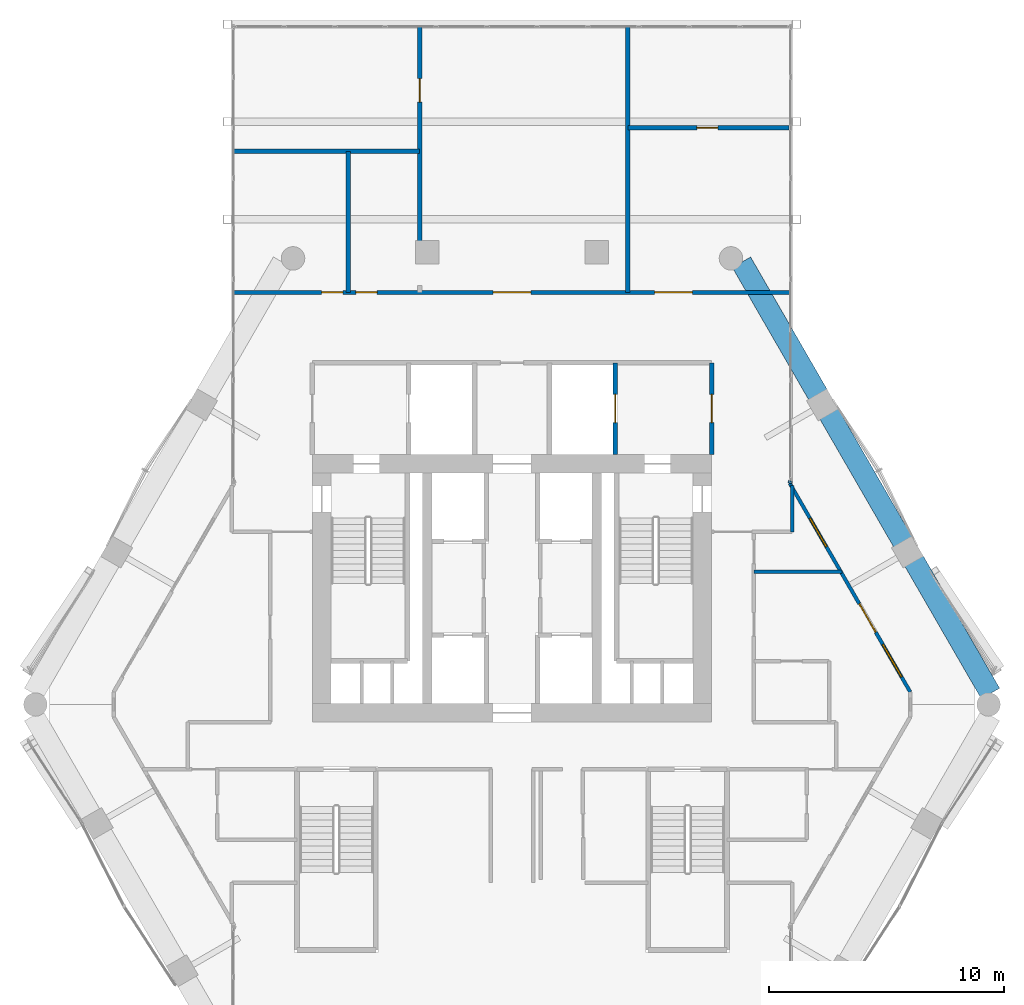
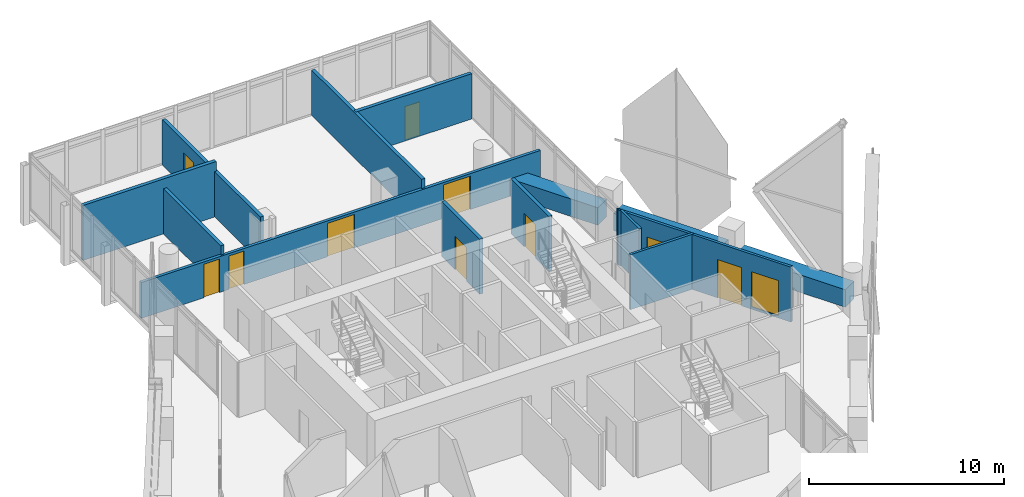
# One storey, part 32 of 37: 15 walls, 9 doors, 2 windows, 11 openings.
"""IFC4 building model written with IfcOpenShell, lengths in metres."""

import ifcopenshell
import ifcopenshell.guid

model = None  # the IFC model being written
_history = None  # IfcOwnerHistory: only IFC2X3 demands one
_inside = {}  # id of a spatial element -> (the spatial element, [elements in it])
_under = {}  # id of a project, library or spatial element -> (it, [spatial elements below it])
_declared = {}  # id of a project -> (the project, [libraries it declares])
_typed = {}  # id of a type object -> (the type object, [elements of that type])
_made_of = {}  # id of a material, layer set ... -> (it, [elements and type objects made of it])


def new_model(schema):
    """Start an empty IFC model of exactly this schema.

    Asked for "IFC4X3", IfcOpenShell would pick the latest addendum, in which some entities
    have other attributes; the version numbers below select the first issue.
    IFC2X3 requires an IfcOwnerHistory on every rooted entity: one is made here for all.
    """
    global model, _history
    if schema == "IFC4X3":
        model = ifcopenshell.file(schema_version=(4, 3, 0, 0))
    else:
        model = ifcopenshell.file(schema=schema)
    _inside.clear()
    _under.clear()
    _declared.clear()
    _typed.clear()
    _made_of.clear()
    _history = None
    if model.schema == "IFC2X3":
        org = make("IfcOrganization", Name="unknown")
        user = make(
            "IfcPersonAndOrganization",
            ThePerson=make("IfcPerson", FamilyName="unknown"),
            TheOrganization=org,
        )
        app = make(
            "IfcApplication",
            ApplicationDeveloper=org,
            Version="unknown",
            ApplicationFullName="unknown",
            ApplicationIdentifier="unknown",
        )
        _history = make(
            "IfcOwnerHistory",
            OwningUser=user,
            OwningApplication=app,
            ChangeAction="ADDED",
            CreationDate=0,
        )
    return model


def make(cls, **values):
    """One entity of the class cls with the attributes given. An attribute that is None is left unset."""
    return model.create_entity(
        cls, **{name: value for name, value in values.items() if value is not None}
    )


def rooted(cls, **values):
    """An entity with a GlobalId (a new one), such as an element, a storey or a relation."""
    return make(cls, GlobalId=ifcopenshell.guid.new(), OwnerHistory=_history, **values)


def si_unit(unit_type, name, prefix=None):
    """IfcSIUnit, for example si_unit("LENGTHUNIT", "METRE", prefix="MILLI")."""
    return make("IfcSIUnit", UnitType=unit_type, Prefix=prefix, Name=name)


def assignment(units):
    """IfcUnitAssignment: the units of a project."""
    return None if units is None else make("IfcUnitAssignment", Units=units)


def point(xyz):
    """IfcCartesianPoint."""
    return None if xyz is None else make("IfcCartesianPoint", Coordinates=xyz)


def direction(xyz):
    """IfcDirection."""
    return None if xyz is None else make("IfcDirection", DirectionRatios=xyz)


def frame(location, z_axis=None, x_axis=None):
    """IfcAxis2Placement3D, a coordinate frame: its origin and axes. An axis left out is left unset."""
    return make(
        "IfcAxis2Placement3D",
        Location=point(location),
        Axis=direction(z_axis),
        RefDirection=direction(x_axis),
    )


def frame_2d(location, x_axis=None):
    """IfcAxis2Placement2D, a coordinate frame in the plane: its origin and x axis."""
    return make(
        "IfcAxis2Placement2D", Location=point(location), RefDirection=direction(x_axis)
    )


def origin():
    """The frame at (0, 0, 0) with its axes left unset."""
    return frame((0.0, 0.0, 0.0))


def place(relative_to, where):
    """IfcLocalPlacement: puts the frame where relative to a parent placement (None: the world)."""
    return make(
        "IfcLocalPlacement", PlacementRelTo=relative_to, RelativePlacement=where
    )


def context(
    kind, dimensions, precision=None, world=None, true_north=None, identifier=None
):
    """IfcGeometricRepresentationContext, for example the 3D "Model" context."""
    return make(
        "IfcGeometricRepresentationContext",
        ContextIdentifier=identifier,
        ContextType=kind,
        CoordinateSpaceDimension=dimensions,
        Precision=precision,
        WorldCoordinateSystem=world,
        TrueNorth=true_north,
    )


def subcontext(parent, identifier, kind, view, scale=None):
    """IfcGeometricRepresentationSubContext, for example "Body" below "Model"."""
    return make(
        "IfcGeometricRepresentationSubContext",
        ContextIdentifier=identifier,
        ContextType=kind,
        ParentContext=parent,
        TargetScale=scale,
        TargetView=view,
    )


def project(units=None, contexts=None):
    """IfcProject with its units and contexts."""
    return rooted(
        "IfcProject",
        Name="project",
        RepresentationContexts=contexts,
        UnitsInContext=assignment(units),
    )


def spatial(cls, under=None, at=None, **own):
    """A site, building, storey or space (cls), placed at a placement, below another one or the project."""
    s = rooted(cls, ObjectPlacement=at, **own)
    if under is not None:
        _under.setdefault(under.id(), (under, []))[1].append(s)
    return s


def profile(cls, at=None, kind="AREA", **sizes):
    """A parametric profile (cls). Its sizes go by their IFC names, for example OverallWidth=200.0."""
    return make(cls, ProfileType=kind, Position=at, **sizes)


def rectangle(**sizes):
    """IfcRectangleProfileDef."""
    return profile("IfcRectangleProfileDef", **sizes)


def extrude(swept, where, along, depth):
    """IfcExtrudedAreaSolid: the profile swept, set in the frame where, extruded along a direction by depth."""
    return make(
        "IfcExtrudedAreaSolid",
        SweptArea=swept,
        Position=where,
        ExtrudedDirection=direction(along),
        Depth=depth,
    )


def shape(context_of_items, identifier, shape_type, items):
    """IfcShapeRepresentation: the items that make up one representation, for example the "Body"."""
    return make(
        "IfcShapeRepresentation",
        ContextOfItems=context_of_items,
        RepresentationIdentifier=identifier,
        RepresentationType=shape_type,
        Items=items,
    )


def material(Name=None, Category=None):
    """IfcMaterial."""
    return make("IfcMaterial", Name=Name, Category=Category)


def layer(
    of_material, thickness, ventilated=None, Name=None, Category=None, Priority=None
):
    """IfcMaterialLayer: one layer of a wall or slab, of a material (None: an air gap)."""
    return make(
        "IfcMaterialLayer",
        Material=of_material,
        LayerThickness=thickness,
        IsVentilated=ventilated,
        Name=Name,
        Category=Category,
        Priority=Priority,
    )


def layer_set(layers, Name=None):
    """IfcMaterialLayerSet."""
    return make("IfcMaterialLayerSet", MaterialLayers=layers, LayerSetName=Name)


def made_of(thing, what):
    """Note that an element or type object is made of a material, layer set ...; save() writes the relation."""
    if what is not None:
        _made_of.setdefault(what.id(), (what, []))[1].append(thing)
    return thing


def type_object(cls, material=None, **own):
    """A type object (cls), such as IfcWallType, which elements share."""
    return made_of(rooted(cls, **own), material)


def element(
    cls,
    number,
    at=None,
    inside=None,
    cuts=None,
    type_object=None,
    material=None,
    context=None,
    identifier="Body",
    shape_type=None,
    held_by="IfcProductDefinitionShape",
    body=None,
    shapes=None,
    **own,
):
    """One element of the class cls, such as IfcWall. Its Tag is "e" and its number.

    at: its placement. inside: the storey or other place that contains it. cuts: it is an
    opening in that element (IfcRelVoidsElement). A single representation is given by context,
    identifier, shape_type and body (its items); several are given by shapes. held_by: the class
    of the entity that holds the representations. save() writes the other relations.
    """
    e = rooted(cls, Tag="e%d" % number, ObjectPlacement=at, **own)
    if body is not None:
        shapes = [shape(context, identifier, shape_type, body)]
    if shapes is not None:
        e.Representation = make(held_by, Representations=shapes)
    if inside is not None:
        _inside.setdefault(inside.id(), (inside, []))[1].append(e)
    if cuts is not None:
        rooted(
            "IfcRelVoidsElement", RelatingBuildingElement=cuts, RelatedOpeningElement=e
        )
    if type_object is not None:
        _typed.setdefault(type_object.id(), (type_object, []))[1].append(e)
    return made_of(e, material)


def fill(opening, filler):
    """IfcRelFillsElement: the door or window that sits in an opening."""
    return rooted(
        "IfcRelFillsElement",
        RelatingOpeningElement=opening,
        RelatedBuildingElement=filler,
    )


def aggregate(whole, parts):
    """IfcRelAggregates: a whole, such as a stair, and the parts it consists of."""
    return rooted("IfcRelAggregates", RelatingObject=whole, RelatedObjects=parts)


def save(model, path):
    """Write the relations noted so far, then the file.

    IfcRelAggregates (storeys below a building ...), IfcRelContainedInSpatialStructure (elements
    in a storey), IfcRelDefinesByType, IfcRelAssociatesMaterial and IfcRelDeclares: one each for
    every whole, place, type object, material and project.
    """
    for whole, parts in _under.values():
        aggregate(whole, parts)
    for where, things in _inside.values():
        rooted(
            "IfcRelContainedInSpatialStructure",
            RelatedElements=things,
            RelatingStructure=where,
        )
    for kind, things in _typed.values():
        rooted("IfcRelDefinesByType", RelatedObjects=things, RelatingType=kind)
    for what, things in _made_of.values():
        rooted("IfcRelAssociatesMaterial", RelatedObjects=things, RelatingMaterial=what)
    for by, libraries in _declared.values():
        rooted("IfcRelDeclares", RelatingContext=by, RelatedDefinitions=libraries)
    model.write(path)


model = new_model("IFC4")

# Units and contexts
model_context = context("Model", 3, precision=1e-05, world=origin(), true_north=direction((0.0, 1.0)))
body_context = subcontext(model_context, "Body", "Model", "MODEL_VIEW")
ifc_project = project(units=[si_unit("LENGTHUNIT", "METRE"), si_unit("AREAUNIT", "SQUARE_METRE"), si_unit("VOLUMEUNIT", "CUBIC_METRE"), si_unit("PLANEANGLEUNIT", "RADIAN"), si_unit("MASSUNIT", "GRAM", prefix="KILO")], contexts=[model_context])

# Site, building, storey
site_placement = place(None, origin())
site = spatial("IfcSite", under=ifc_project, at=site_placement, CompositionType="ELEMENT")
building_placement = place(site_placement, origin())
building = spatial("IfcBuilding", under=site, at=building_placement, Name="Ostrander Bayou Hotel Tower", CompositionType="ELEMENT")
storey_placement = place(building_placement, frame((0.0, 0.0, 198.25)))
storey = spatial("IfcBuildingStorey", under=building, at=storey_placement, Name="L49", CompositionType="ELEMENT", Elevation=198.25)

# Wall, openings, door, windows
ifc_material_1 = material(Name="Aluminium framed insulated wall", Category="aluminium")
ifc_layer_1 = layer(ifc_material_1, 0.14990234375)
ifc_layer_set_1 = layer_set([ifc_layer_1], Name="GW1 glass-line wall 150 mm")
wall_type_1 = type_object("IfcWallType", Name="GW1 glass-line wall 150 mm", PredefinedType="SOLIDWALL", material=ifc_layer_set_1)
wall_1_placement = place(storey_placement, frame((16.955810546875, -0.416748046875, 0.0), z_axis=(0.0, 0.0, 1.0), x_axis=(-0.499996992154, 0.866027140358, 0.0)))
wall_1 = element("IfcWall", 1, at=wall_1_placement, inside=storey, type_object=wall_type_1, Name="GW1 L49 NE 1", PredefinedType="SOLIDWALL", context=body_context, shape_type="SweptSolid", body=[
    extrude(rectangle(XDim=10.263671875, YDim=0.14990234375, at=frame_2d((5.1318359375, 0.0))), origin(), (0.0, 0.0, 1.0), 3.449951171875),
])
opening_1_placement = place(wall_1_placement, frame((0.73876953125, 0.0, 0.14990234375)))
opening_1 = element("IfcOpeningElement", 2, at=opening_1_placement, cuts=wall_1, Name="Opening W9", PredefinedType="OPENING", context=body_context, shape_type="SweptSolid", body=[
    extrude(rectangle(XDim=1.60009765625, YDim=2.199951171875, at=frame_2d((0.800048828125, 1.10009765625))), frame((0.0, 0.074951171875, 0.0), z_axis=(0.0, -1.0, 0.0), x_axis=(1.0, 0.0, 0.0)), (0.0, 0.0, 1.0), 0.14990234375),
])
opening_2_placement = place(wall_1_placement, frame((2.938720703125, 0.0, 0.0)))
opening_2 = element("IfcOpeningElement", 3, at=opening_2_placement, cuts=wall_1, Name="Opening T48-804", PredefinedType="OPENING", context=body_context, shape_type="SweptSolid", body=[
    extrude(rectangle(XDim=1.39990234375, YDim=2.39990234375, at=frame_2d((0.699951171875, 1.199951171875))), frame((0.0, 0.074951171875, 0.0), z_axis=(0.0, -1.0, 0.0), x_axis=(1.0, 0.0, 0.0)), (0.0, 0.0, 1.0), 0.14990234375),
])
opening_3_placement = place(wall_1_placement, frame((7.138916015625, 0.0, 0.14990234375)))
opening_3 = element("IfcOpeningElement", 4, at=opening_3_placement, cuts=wall_1, Name="Opening W13", PredefinedType="OPENING", context=body_context, shape_type="SweptSolid", body=[
    extrude(rectangle(XDim=1.39990234375, YDim=2.199951171875, at=frame_2d((0.699951171875, 1.10009765625))), frame((0.0, 0.074951171875, 0.0), z_axis=(0.0, -1.0, 0.0), x_axis=(1.0, 0.0, 0.0)), (0.0, 0.0, 1.0), 0.14990234375),
])
ifc_material_2 = material(Name="Aluminium and clear glass", Category="aluminium")
door_type_1 = type_object("IfcDoorType", Name="SD3 sliding glass door 1400 mm, zone 3", OperationType="SLIDING_TO_LEFT", PredefinedType="DOOR", material=ifc_material_2)
door_1_placement = place(opening_2_placement, origin())
door_1 = element("IfcDoor", 5, at=door_1_placement, inside=storey, type_object=door_type_1, Name="SD3 L49 NE 1", OperationType="SLIDING_TO_LEFT", OverallHeight=2.39990234375, OverallWidth=1.39990234375, PredefinedType="DOOR", context=body_context, shape_type="SweptSolid", body=[
    extrude(rectangle(XDim=1.39990234375, YDim=2.39990234375, at=frame_2d((0.699951171875, 1.199951171875))), frame((0.0, 0.02490234375, 0.0), z_axis=(0.0, -1.0, 0.0), x_axis=(1.0, 0.0, 0.0)), (0.0, 0.0, 1.0), 0.050048828125),
])
fill(opening_2, door_1)
ifc_material_3 = material(Name="Aluminium and clear glass", Category="aluminium")
window_type_1 = type_object("IfcWindowType", Name="W13 fixed window 1400 mm, bath bay, zone 3", PartitioningType="SINGLE_PANEL", PredefinedType="WINDOW", material=ifc_material_3)
window_1_placement = place(opening_3_placement, origin())
window_1 = element("IfcWindow", 6, at=window_1_placement, inside=storey, type_object=window_type_1, Name="W13 L49 NE 2", OverallHeight=2.199951171875, OverallWidth=1.39990234375, PartitioningType="SINGLE_PANEL", PredefinedType="WINDOW", context=body_context, shape_type="SweptSolid", body=[
    extrude(rectangle(XDim=1.39990234375, YDim=2.199951171875, at=frame_2d((0.699951171875, 1.10009765625))), frame((0.0, 0.030029296875, 0.0), z_axis=(0.0, -1.0, 0.0), x_axis=(1.0, 0.0, 0.0)), (0.0, 0.0, 1.0), 0.06005859375),
])
fill(opening_3, window_1)
ifc_material_4 = material(Name="Aluminium and clear glass", Category="aluminium")
window_type_2 = type_object("IfcWindowType", Name="W9 fixed window 1600 mm, bar storeys, zone 3", PartitioningType="SINGLE_PANEL", PredefinedType="WINDOW", material=ifc_material_4)
window_2_placement = place(opening_1_placement, origin())
window_2 = element("IfcWindow", 7, at=window_2_placement, inside=storey, type_object=window_type_2, Name="W9 L49 NE 1", OverallHeight=2.199951171875, OverallWidth=1.60009765625, PartitioningType="SINGLE_PANEL", PredefinedType="WINDOW", context=body_context, shape_type="SweptSolid", body=[
    extrude(rectangle(XDim=1.60009765625, YDim=2.199951171875, at=frame_2d((0.800048828125, 1.10009765625))), frame((0.0, 0.030029296875, 0.0), z_axis=(0.0, -1.0, 0.0), x_axis=(1.0, 0.0, 0.0)), (0.0, 0.0, 1.0), 0.06005859375),
])
fill(opening_1, window_2)

# Walls
wall_2_placement = place(storey_placement, frame((11.823974609375, 8.471923828125, 0.0), z_axis=(0.0, 0.0, 1.0), x_axis=(0.337751931921, 0.941235163221, 0.0)))
element("IfcWall", 8, at=wall_2_placement, inside=storey, type_object=wall_type_1, Name="GW1 L49 bar joint 4", PredefinedType="SOLIDWALL", context=body_context, shape_type="SweptSolid", body=[
    extrude(rectangle(XDim=0.098388671875, YDim=0.14990234375, at=frame_2d((0.04931640625, 0.0))), origin(), (0.0, 0.0, 1.0), 3.449951171875),
])
ifc_material_5 = material(Name="Concrete f'c 40 MPa", Category="concrete")
ifc_layer_2 = layer(ifc_material_5, 0.89990234375)
ifc_layer_set_2 = layer_set([ifc_layer_2], Name="PA1 stone-faced parapet 900 mm")
wall_type_2 = type_object("IfcWallType", Name="PA1 stone-faced parapet 900 mm", PredefinedType="PARAPET", material=ifc_layer_set_2)
wall_3_placement = place(storey_placement, frame((20.36962890625, -0.4794921875, 0.0), z_axis=(0.0, 0.0, 1.0), x_axis=(-0.500022104698, 0.866012641255, 0.0)))
element("IfcWall", 9, at=wall_3_placement, inside=storey, type_object=wall_type_2, Name="PA1 L49 NE-1", PredefinedType="PARAPET", context=body_context, shape_type="SweptSolid", body=[
    extrude(rectangle(XDim=6.511962890625, YDim=0.89990234375, at=frame_2d((3.255859375, 0.0))), origin(), (0.0, 0.0, 1.0), 1.10009765625),
])
wall_4_placement = place(storey_placement, frame((16.6435546875, 5.97412109375, 0.0), z_axis=(0.0, 0.0, 1.0), x_axis=(-0.499984268907, 0.866034485945, 0.0)))
element("IfcWall", 10, at=wall_4_placement, inside=storey, type_object=wall_type_2, Name="PA1 L49 NE-2", PredefinedType="PARAPET", context=body_context, shape_type="SweptSolid", body=[
    extrude(rectangle(XDim=6.296142578125, YDim=0.89990234375, at=frame_2d((3.14794921875, 0.0))), origin(), (0.0, 0.0, 1.0), 1.10009765625),
])
wall_5_placement = place(storey_placement, frame((13.025390625, 12.24072265625, 0.0), z_axis=(0.0, 0.0, 1.0), x_axis=(-0.499977752261, 0.866038248142, 0.0)))
element("IfcWall", 11, at=wall_5_placement, inside=storey, type_object=wall_type_2, Name="PA1 L49 NE-3", PredefinedType="PARAPET", context=body_context, shape_type="SweptSolid", body=[
    extrude(rectangle(XDim=6.511962890625, YDim=0.89990234375, at=frame_2d((3.255859375, 0.0))), origin(), (0.0, 0.0, 1.0), 1.10009765625),
])
ifc_material_6 = material(Name="Gypsum board partition", Category="finish")
ifc_layer_3 = layer(ifc_material_6, 0.199951171875)
ifc_layer_set_3 = layer_set([ifc_layer_3], Name="PT3 demising wall 200 mm acoustic double stud, 1 hour")
wall_type_3 = type_object("IfcWallType", Name="PT3 demising wall 200 mm acoustic double stud, 1 hour", PredefinedType="PARTITIONING", material=ifc_layer_set_3)
wall_6_placement = place(storey_placement, frame((-11.838134765625, 22.60009765625, 0.0), z_axis=(0.0, 0.0, 1.0), x_axis=(1.0, 0.0, 0.0)))
element("IfcWall", 12, at=wall_6_placement, inside=storey, type_object=wall_type_3, Name="sw:L49:503", PredefinedType="PARTITIONING", context=body_context, shape_type="SweptSolid", body=[
    extrude(rectangle(XDim=7.906005859375, YDim=0.199951171875, at=frame_2d((3.953125, 0.0))), origin(), (0.0, 0.0, 1.0), 3.449951171875),
])

# Wall, opening, door
wall_7_placement = place(storey_placement, frame((4.93212890625, 23.60009765625, 0.0), z_axis=(0.0, 0.0, 1.0), x_axis=(1.0, 0.0, 0.0)))
wall_7 = element("IfcWall", 13, at=wall_7_placement, inside=storey, type_object=wall_type_3, Name="sw:L49:504", PredefinedType="PARTITIONING", context=body_context, shape_type="SweptSolid", body=[
    extrude(rectangle(XDim=6.8701171875, YDim=0.199951171875, at=frame_2d((3.43505859375, 0.0))), origin(), (0.0, 0.0, 1.0), 2.8388671875),
])
opening_4_placement = place(wall_7_placement, frame((2.93505859375, 0.0, 0.0)))
opening_4 = element("IfcOpeningElement", 14, at=opening_4_placement, cuts=wall_7, Name="Opening T48-1206", PredefinedType="OPENING", context=body_context, shape_type="SweptSolid", body=[
    extrude(rectangle(XDim=0.89990234375, YDim=2.10009765625, at=frame_2d((0.449951171875, 1.050048828125))), frame((0.0, 0.10009765625, 0.0), z_axis=(0.0, -1.0, 0.0), x_axis=(1.0, 0.0, 0.0)), (0.0, 0.0, 1.0), 0.199951171875),
])
ifc_material_7 = material(Name="Timber door leaf", Category="wood")
door_type_2 = type_object("IfcDoorType", Name="D8 room door 900 x 2100 mm", OperationType="SINGLE_SWING_LEFT", PredefinedType="DOOR", material=ifc_material_7)
door_2_placement = place(opening_4_placement, origin())
door_2 = element("IfcDoor", 15, at=door_2_placement, inside=storey, type_object=door_type_2, Name="dr:L49:1206", OperationType="SINGLE_SWING_RIGHT", OverallHeight=2.10009765625, OverallWidth=0.89990234375, PredefinedType="DOOR", context=body_context, shape_type="SweptSolid", body=[
    extrude(rectangle(XDim=0.89990234375, YDim=2.10009765625, at=frame_2d((0.449951171875, 1.050048828125))), frame((0.0, 0.02490234375, 0.0), z_axis=(0.0, -1.0, 0.0), x_axis=(1.0, 0.0, 0.0)), (0.0, 0.0, 1.0), 0.050048828125),
])
fill(opening_4, door_2)

# Wall
wall_8_placement = place(storey_placement, frame((-6.971923828125, 16.60009765625, 0.0), z_axis=(0.0, 0.0, 1.0), x_axis=(0.0, 1.0, 0.0)))
element("IfcWall", 16, at=wall_8_placement, inside=storey, type_object=wall_type_3, Name="sw:L49:505", PredefinedType="PARTITIONING", context=body_context, shape_type="SweptSolid", body=[
    extrude(rectangle(XDim=6.0, YDim=0.199951171875, at=frame_2d((3.0, 0.0))), origin(), (0.0, 0.0, 1.0), 2.8388671875),
])

# Wall, opening, door
wall_9_placement = place(storey_placement, frame((-3.931884765625, 17.806640625, 0.0), z_axis=(0.0, 0.0, 1.0), x_axis=(0.0, 1.0, 0.0)))
wall_9 = element("IfcWall", 17, at=wall_9_placement, inside=storey, type_object=wall_type_3, Name="sw:L49:508", PredefinedType="PARTITIONING", context=body_context, shape_type="SweptSolid", body=[
    extrude(rectangle(XDim=10.090576171875, YDim=0.199951171875, at=frame_2d((5.04541015625, 0.0))), origin(), (0.0, 0.0, 1.0), 2.8388671875),
])
opening_5_placement = place(wall_9_placement, frame((6.886474609375, 0.0, 0.0)))
opening_5 = element("IfcOpeningElement", 18, at=opening_5_placement, cuts=wall_9, Name="Opening T48-1207", PredefinedType="OPENING", context=body_context, shape_type="SweptSolid", body=[
    extrude(rectangle(XDim=1.0, YDim=2.10009765625, at=frame_2d((0.5, 1.050048828125))), frame((0.0, 0.10009765625, 0.0), z_axis=(0.0, -1.0, 0.0), x_axis=(1.0, 0.0, 0.0)), (0.0, 0.0, 1.0), 0.199951171875),
])
ifc_material_8 = material(Name="Timber door leaf", Category="wood")
door_type_3 = type_object("IfcDoorType", Name="D9 service door 1000 x 2100 mm, 30 minute", OperationType="SINGLE_SWING_LEFT", PredefinedType="DOOR", material=ifc_material_8)
door_3_placement = place(opening_5_placement, origin())
door_3 = element("IfcDoor", 19, at=door_3_placement, inside=storey, type_object=door_type_3, Name="dr:L49:1207", OperationType="SINGLE_SWING_LEFT", OverallHeight=2.10009765625, OverallWidth=1.0, PredefinedType="DOOR", context=body_context, shape_type="SweptSolid", body=[
    extrude(rectangle(XDim=1.0, YDim=2.10009765625, at=frame_2d((0.5, 1.050048828125))), frame((0.0, 0.02490234375, 0.0), z_axis=(0.0, -1.0, 0.0), x_axis=(1.0, 0.0, 0.0)), (0.0, 0.0, 1.0), 0.050048828125),
])
fill(opening_5, door_3)

# Wall
wall_10_placement = place(storey_placement, frame((4.931884765625, 16.60009765625, 0.0), z_axis=(0.0, 0.0, 1.0), x_axis=(0.0, 1.0, 0.0)))
element("IfcWall", 20, at=wall_10_placement, inside=storey, type_object=wall_type_3, Name="sw:L49:511", PredefinedType="PARTITIONING", context=body_context, shape_type="SweptSolid", body=[
    extrude(rectangle(XDim=11.297119140625, YDim=0.199951171875, at=frame_2d((5.6484375, 0.0))), origin(), (0.0, 0.0, 1.0), 2.8388671875),
])

# Wall, openings, doors
ifc_material_9 = material(Name="Gypsum board partition", Category="finish")
ifc_layer_4 = layer(ifc_material_9, 0.175048828125)
ifc_layer_set_4 = layer_set([ifc_layer_4], Name="PT4 corridor wall 175 mm, 1 hour")
wall_type_4 = type_object("IfcWallType", Name="PT4 corridor wall 175 mm, 1 hour", PredefinedType="PARTITIONING", material=ifc_layer_set_4)
wall_11_placement = place(storey_placement, frame((-11.838134765625, 16.60009765625, 0.0), z_axis=(0.0, 0.0, 1.0), x_axis=(1.0, 0.0, 0.0)))
wall_11 = element("IfcWall", 21, at=wall_11_placement, inside=storey, type_object=wall_type_4, Name="sw:L49:501", PredefinedType="PARTITIONING", context=body_context, shape_type="SweptSolid", body=[
    extrude(rectangle(XDim=23.67626953125, YDim=0.175048828125, at=frame_2d((11.838134765625, 0.0))), origin(), (0.0, 0.0, 1.0), 2.25),
])
opening_6_placement = place(wall_11_placement, frame((17.913818359375, 0.0, 0.0)))
opening_6 = element("IfcOpeningElement", 22, at=opening_6_placement, cuts=wall_11, Name="Opening T48-1205", PredefinedType="OPENING", context=body_context, shape_type="SweptSolid", body=[
    extrude(rectangle(XDim=1.60009765625, YDim=2.10009765625, at=frame_2d((0.800048828125, 1.050048828125))), frame((0.0, 0.08740234375, 0.0), z_axis=(0.0, -1.0, 0.0), x_axis=(1.0, 0.0, 0.0)), (0.0, 0.0, 1.0), 0.175048828125),
])
opening_7_placement = place(wall_11_placement, frame((3.7333984375, 0.0, 0.0)))
opening_7 = element("IfcOpeningElement", 23, at=opening_7_placement, cuts=wall_11, Name="Opening T48-1208", PredefinedType="OPENING", context=body_context, shape_type="SweptSolid", body=[
    extrude(rectangle(XDim=0.89990234375, YDim=2.10009765625, at=frame_2d((0.449951171875, 1.050048828125))), frame((0.0, 0.08740234375, 0.0), z_axis=(0.0, -1.0, 0.0), x_axis=(1.0, 0.0, 0.0)), (0.0, 0.0, 1.0), 0.175048828125),
])
opening_8_placement = place(wall_11_placement, frame((5.1953125, 0.0, 0.0)))
opening_8 = element("IfcOpeningElement", 24, at=opening_8_placement, cuts=wall_11, Name="Opening T48-1209", PredefinedType="OPENING", context=body_context, shape_type="SweptSolid", body=[
    extrude(rectangle(XDim=0.89990234375, YDim=2.10009765625, at=frame_2d((0.449951171875, 1.050048828125))), frame((0.0, 0.08740234375, 0.0), z_axis=(0.0, -1.0, 0.0), x_axis=(1.0, 0.0, 0.0)), (0.0, 0.0, 1.0), 0.175048828125),
])
opening_9_placement = place(wall_11_placement, frame((11.0380859375, 0.0, 0.0)))
opening_9 = element("IfcOpeningElement", 25, at=opening_9_placement, cuts=wall_11, Name="Opening T48-1210", PredefinedType="OPENING", context=body_context, shape_type="SweptSolid", body=[
    extrude(rectangle(XDim=1.60009765625, YDim=2.10009765625, at=frame_2d((0.800048828125, 1.050048828125))), frame((0.0, 0.08740234375, 0.0), z_axis=(0.0, -1.0, 0.0), x_axis=(1.0, 0.0, 0.0)), (0.0, 0.0, 1.0), 0.175048828125),
])
ifc_material_10 = material(Name="Timber door leaf", Category="wood")
door_type_4 = type_object("IfcDoorType", Name="D13 double door 1600 x 2100 mm, 1 hour", OperationType="SINGLE_SWING_LEFT", PredefinedType="DOOR", material=ifc_material_10)
door_4_placement = place(opening_6_placement, origin())
door_4 = element("IfcDoor", 26, at=door_4_placement, inside=storey, type_object=door_type_4, Name="dr:L49:1205", OperationType="DOUBLE_DOOR_SINGLE_SWING", OverallHeight=2.10009765625, OverallWidth=1.60009765625, PredefinedType="DOOR", context=body_context, shape_type="SweptSolid", body=[
    extrude(rectangle(XDim=1.60009765625, YDim=2.10009765625, at=frame_2d((0.800048828125, 1.050048828125))), frame((0.0, 0.02490234375, 0.0), z_axis=(0.0, -1.0, 0.0), x_axis=(1.0, 0.0, 0.0)), (0.0, 0.0, 1.0), 0.050048828125),
])
fill(opening_6, door_4)
door_5_placement = place(opening_9_placement, origin())
door_5 = element("IfcDoor", 27, at=door_5_placement, inside=storey, type_object=door_type_4, Name="dr:L49:1210", OperationType="DOUBLE_DOOR_SINGLE_SWING", OverallHeight=2.10009765625, OverallWidth=1.60009765625, PredefinedType="DOOR", context=body_context, shape_type="SweptSolid", body=[
    extrude(rectangle(XDim=1.60009765625, YDim=2.10009765625, at=frame_2d((0.800048828125, 1.050048828125))), frame((0.0, 0.02490234375, 0.0), z_axis=(0.0, -1.0, 0.0), x_axis=(1.0, 0.0, 0.0)), (0.0, 0.0, 1.0), 0.050048828125),
])
fill(opening_9, door_5)
door_6_placement = place(opening_7_placement, origin())
door_6 = element("IfcDoor", 28, at=door_6_placement, inside=storey, type_object=door_type_2, Name="dr:L49:1208", OperationType="SINGLE_SWING_RIGHT", OverallHeight=2.10009765625, OverallWidth=0.89990234375, PredefinedType="DOOR", context=body_context, shape_type="SweptSolid", body=[
    extrude(rectangle(XDim=0.89990234375, YDim=2.10009765625, at=frame_2d((0.449951171875, 1.050048828125))), frame((0.0, 0.02490234375, 0.0), z_axis=(0.0, -1.0, 0.0), x_axis=(1.0, 0.0, 0.0)), (0.0, 0.0, 1.0), 0.050048828125),
])
fill(opening_7, door_6)
door_7_placement = place(opening_8_placement, origin())
door_7 = element("IfcDoor", 29, at=door_7_placement, inside=storey, type_object=door_type_2, Name="dr:L49:1209", OperationType="SINGLE_SWING_LEFT", OverallHeight=2.10009765625, OverallWidth=0.89990234375, PredefinedType="DOOR", context=body_context, shape_type="SweptSolid", body=[
    extrude(rectangle(XDim=0.89990234375, YDim=2.10009765625, at=frame_2d((0.449951171875, 1.050048828125))), frame((0.0, 0.02490234375, 0.0), z_axis=(0.0, -1.0, 0.0), x_axis=(1.0, 0.0, 0.0)), (0.0, 0.0, 1.0), 0.050048828125),
])
fill(opening_8, door_7)

# Wall, opening, door
ifc_material_11 = material(Name="Masonry block", Category="masonry")
ifc_layer_5 = layer(ifc_material_11, 0.199951171875)
ifc_layer_set_5 = layer_set([ifc_layer_5], Name="PT5 stair enclosure wall 200 mm masonry, 2 hour")
wall_type_5 = type_object("IfcWallType", Name="PT5 stair enclosure wall 200 mm masonry, 2 hour", PredefinedType="PARTITIONING", material=ifc_layer_set_5)
wall_12_placement = place(storey_placement, frame((8.5, 9.699951171875, 0.0), z_axis=(0.0, 0.0, 1.0), x_axis=(0.0, 1.0, 0.0)))
wall_12 = element("IfcWall", 30, at=wall_12_placement, inside=storey, type_object=wall_type_5, Name="cs:L49:027", PredefinedType="PARTITIONING", context=body_context, shape_type="SweptSolid", body=[
    extrude(rectangle(XDim=3.900146484375, YDim=0.199951171875, at=frame_2d((1.9501953125, 0.0))), origin(), (0.0, 0.0, 1.0), 3.449951171875),
])
opening_10_placement = place(wall_12_placement, frame((1.35009765625, 0.0, 0.0)))
opening_10 = element("IfcOpeningElement", 31, at=opening_10_placement, cuts=wall_12, Name="Opening T48-016", PredefinedType="OPENING", context=body_context, shape_type="SweptSolid", body=[
    extrude(rectangle(XDim=1.199951171875, YDim=2.10009765625, at=frame_2d((0.60009765625, 1.050048828125))), frame((0.0, 0.10009765625, 0.0), z_axis=(0.0, -1.0, 0.0), x_axis=(1.0, 0.0, 0.0)), (0.0, 0.0, 1.0), 0.199951171875),
])
ifc_material_12 = material(Name="Timber door leaf", Category="wood")
door_type_5 = type_object("IfcDoorType", Name="D7 lobby door 1200 x 2100 mm, 1 hour", OperationType="SINGLE_SWING_LEFT", PredefinedType="DOOR", material=ifc_material_12)
door_8_placement = place(opening_10_placement, origin())
door_8 = element("IfcDoor", 32, at=door_8_placement, inside=storey, type_object=door_type_5, Name="dr:L49:016", OperationType="SINGLE_SWING_LEFT", OverallHeight=2.10009765625, OverallWidth=1.199951171875, PredefinedType="DOOR", context=body_context, shape_type="SweptSolid", body=[
    extrude(rectangle(XDim=1.199951171875, YDim=2.10009765625, at=frame_2d((0.60009765625, 1.050048828125))), frame((0.0, 0.02490234375, 0.0), z_axis=(0.0, -1.0, 0.0), x_axis=(1.0, 0.0, 0.0)), (0.0, 0.0, 1.0), 0.050048828125),
])
fill(opening_10, door_8)

wall_13_placement = place(storey_placement, frame((4.39990234375, 9.699951171875, 0.0), z_axis=(0.0, 0.0, 1.0), x_axis=(0.0, 1.0, 0.0)))
wall_13 = element("IfcWall", 33, at=wall_13_placement, inside=storey, type_object=wall_type_5, Name="cs:L49:029", PredefinedType="PARTITIONING", context=body_context, shape_type="SweptSolid", body=[
    extrude(rectangle(XDim=3.900146484375, YDim=0.199951171875, at=frame_2d((1.9501953125, 0.0))), origin(), (0.0, 0.0, 1.0), 3.449951171875),
])
opening_11_placement = place(wall_13_placement, frame((1.35009765625, 0.0, 0.0)))
opening_11 = element("IfcOpeningElement", 34, at=opening_11_placement, cuts=wall_13, Name="Opening T48-015", PredefinedType="OPENING", context=body_context, shape_type="SweptSolid", body=[
    extrude(rectangle(XDim=1.199951171875, YDim=2.10009765625, at=frame_2d((0.60009765625, 1.050048828125))), frame((0.0, 0.10009765625, 0.0), z_axis=(0.0, -1.0, 0.0), x_axis=(1.0, 0.0, 0.0)), (0.0, 0.0, 1.0), 0.199951171875),
])
ifc_material_13 = material(Name="Stainless steel sliding door", Category="steel")
door_type_6 = type_object("IfcDoorType", Name="LD1 lift landing door 1200 x 2100 mm", OperationType="SINGLE_SWING_LEFT", PredefinedType="DOOR", material=ifc_material_13)
door_9_placement = place(opening_11_placement, origin())
door_9 = element("IfcDoor", 35, at=door_9_placement, inside=storey, type_object=door_type_6, Name="dr:L49:015", OperationType="SLIDING_TO_LEFT", OverallHeight=2.10009765625, OverallWidth=1.199951171875, PredefinedType="DOOR", context=body_context, shape_type="SweptSolid", body=[
    extrude(rectangle(XDim=1.199951171875, YDim=2.10009765625, at=frame_2d((0.60009765625, 1.050048828125))), frame((0.0, 0.02490234375, 0.0), z_axis=(0.0, -1.0, 0.0), x_axis=(1.0, 0.0, 0.0)), (0.0, 0.0, 1.0), 0.050048828125),
])
fill(opening_11, door_9)

# Walls
ifc_material_14 = material(Name="Gypsum board partition", Category="finish")
ifc_layer_6 = layer(ifc_material_14, 0.14990234375)
ifc_layer_set_6 = layer_set([ifc_layer_6], Name="PT8 service band wall 150 mm, 1 hour")
wall_type_6 = type_object("IfcWallType", Name="PT8 service band wall 150 mm, 1 hour", PredefinedType="PARTITIONING", material=ifc_layer_set_6)
wall_14_placement = place(storey_placement, frame((10.300048828125, 4.699951171875, 0.0), z_axis=(0.0, 0.0, 1.0), x_axis=(1.0, 0.0, 0.0)))
element("IfcWall", 36, at=wall_14_placement, inside=storey, type_object=wall_type_6, Name="gw:L49:015", PredefinedType="PARTITIONING", context=body_context, shape_type="SweptSolid", body=[
    extrude(rectangle(XDim=3.75390625, YDim=0.14990234375, at=frame_2d((1.876953125, 0.0))), origin(), (0.0, 0.0, 1.0), 3.449951171875),
])
wall_15_placement = place(storey_placement, frame((11.929931640625, 6.39990234375, 0.0), z_axis=(0.0, 0.0, 1.0), x_axis=(0.0, 1.0, 0.0)))
element("IfcWall", 37, at=wall_15_placement, inside=storey, type_object=wall_type_6, Name="gw:L49:022", PredefinedType="PARTITIONING", context=body_context, shape_type="SweptSolid", body=[
    extrude(rectangle(XDim=1.97802734375, YDim=0.14990234375, at=frame_2d((0.989013671875, 0.0))), origin(), (0.0, 0.0, 1.0), 3.449951171875),
])

save(model, "model.ifc")
